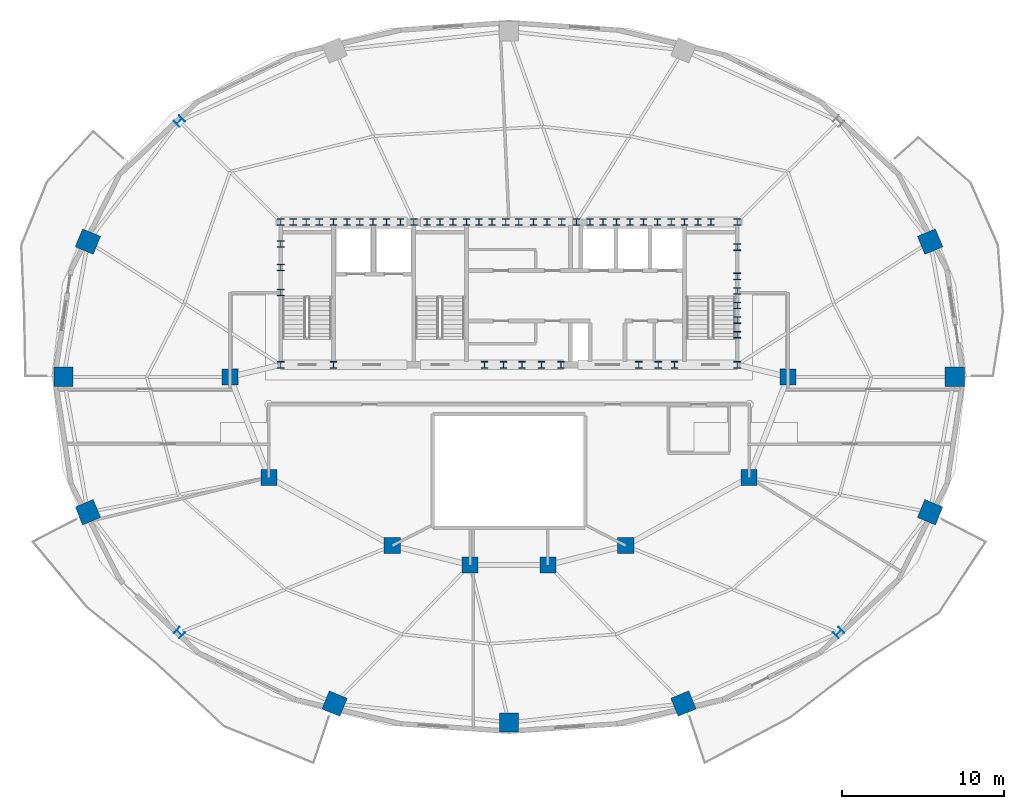
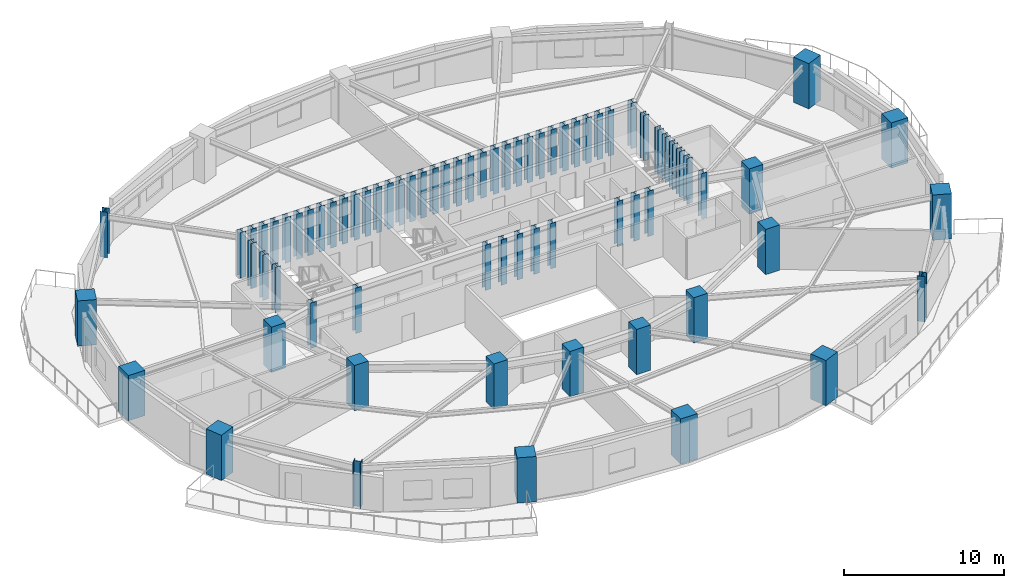
# One storey, part 1 of 11: 74 columns.
"""IFC4 building model written with IfcOpenShell, lengths in metres."""

from ifc_helpers import new_model, si_unit, direction, frame, origin, origin_2d, place, context, subcontext, project, spatial, rectangle, i_section, extrude, material, material_profile, profile_set, type_object, element, save


model = new_model("IFC4")

# Units and contexts
model_context = context("Model", 3, precision=1e-05, world=origin(), true_north=direction((0.0, 1.0)))
body_context = subcontext(model_context, "Body", "Model", "MODEL_VIEW")
ifc_project = project(units=[si_unit("LENGTHUNIT", "METRE"), si_unit("AREAUNIT", "SQUARE_METRE"), si_unit("VOLUMEUNIT", "CUBIC_METRE"), si_unit("PLANEANGLEUNIT", "RADIAN"), si_unit("MASSUNIT", "GRAM", prefix="KILO")], contexts=[model_context])

# Site, building, storey
site_placement = place(None, origin())
site = spatial("IfcSite", under=ifc_project, at=site_placement, CompositionType="ELEMENT")
building_placement = place(site_placement, origin())
building = spatial("IfcBuilding", under=site, at=building_placement, Name="Haldorwick Loom Tower", CompositionType="ELEMENT")
storey_placement = place(building_placement, frame((0.0, 0.0, 218.64990234375)))
storey = spatial("IfcBuildingStorey", under=building, at=storey_placement, Name="L59", CompositionType="ELEMENT", Elevation=218.64990234375)

# Columns
ifc_material_1 = material(Name="Concrete C60 (60 MPa)", Category="concrete")
ifc_material_profile_1 = material_profile(ifc_material_1, rectangle(XDim=1.0, YDim=1.0, at=origin_2d()), Name="RC1000X1000", Category="concrete")
ifc_profile_set_1 = profile_set([ifc_material_profile_1], Name="Concrete C60 (60 MPa)")
column_type_1 = type_object("IfcColumnType", Name="STR-COL-RC1000", PredefinedType="COLUMN", material=ifc_profile_set_1)
for number, where, z_axis, x_axis, name in (
    (1, (53.199951171875, 26.0, 0.0), (0.0, 0.0, 1.0), (1.0, 0.0, 0.0), "L59 Inner Column IC-01"),
    (2, (50.800048828125, 19.800048828125, 0.0), (0.0, 0.0, 1.0), (1.0, 0.0, 0.0), "L59 Inner Column IC-02"),
    (3, (43.199951171875, 15.60009765625, 0.0), (0.0, 0.0, 1.0), (1.0, 0.0, 0.0), "L59 Inner Column IC-03"),
    (4, (38.39990234375, 14.39990234375, 0.0), (0.0, 0.0, 1.0), (1.0, 0.0, 0.0), "L59 Inner Column IC-04"),
    (5, (33.60009765625, 14.39990234375, 0.0), (0.0, 0.0, 1.0), (1.0, 0.0, 0.0), "L59 Inner Column IC-05"),
    (6, (28.800048828125, 15.60009765625, 0.0), (0.0, 0.0, 1.0), (1.0, 0.0, 0.0), "L59 Inner Column IC-06"),
    (7, (21.199951171875, 19.800048828125, 0.0), (0.0, 0.0, 1.0), (1.0, 0.0, 0.0), "L59 Inner Column IC-07"),
    (8, (18.800048828125, 26.0, 0.0), (0.0, 0.0, 1.0), (1.0, 0.0, 0.0), "L59 Inner Column IC-08"),
):
    element("IfcColumn", number, at=place(storey_placement, frame(where, z_axis=z_axis, x_axis=x_axis)), inside=storey, type_object=column_type_1, Name=name, PredefinedType="COLUMN", context=body_context, shape_type="SweptSolid", body=[
        extrude(rectangle(XDim=1.0, YDim=1.0, at=origin_2d()), origin(), (0.0, 0.0, 1.0), 3.4501953125),
    ])
ifc_material_profile_2 = material_profile(ifc_material_1, rectangle(XDim=1.199951171875, YDim=1.199951171875, at=origin_2d()), Name="RC1200X1200", Category="concrete")
ifc_profile_set_2 = profile_set([ifc_material_profile_2], Name="Concrete C60 (60 MPa)")
column_type_2 = type_object("IfcColumnType", Name="STR-COL-RC1200", PredefinedType="COLUMN", material=ifc_profile_set_2)
for number, where, z_axis, x_axis, name in (
    (9, (63.46630859375, 26.0, 0.0), (0.0, 0.0, 1.0), (1.0, 0.0, 0.0), "L59 Perimeter Pier Column P01"),
    (10, (61.9609375, 34.342529296875, 0.0), (0.0, 0.0, 1.0), (0.923879532511, 0.382683432365, 0.0), "L59 Perimeter Pier Column P02"),
    (11, (10.0390625, 34.342529296875, 0.0), (0.0, 0.0, 1.0), (-0.923879532511, 0.382683432365, 0.0), "L59 Perimeter Pier Column P08"),
    (12, (8.53369140625, 26.0, 0.0), (0.0, 0.0, 1.0), (-1.0, 0.0, 0.0), "L59 Perimeter Pier Column P09"),
    (13, (10.0390625, 17.657470703125, 0.0), (0.0, 0.0, 1.0), (-0.923879532511, -0.382683432365, 0.0), "L59 Perimeter Pier Column P10"),
    (14, (25.24658203125, 5.859375, 0.0), (0.0, 0.0, 1.0), (-0.382683432365, -0.923879532511, 0.0), "L59 Perimeter Pier Column P12"),
    (15, (36.0, 4.695068359375, 0.0), (0.0, 0.0, 1.0), (0.0, -1.0, 0.0), "L59 Perimeter Pier Column P13"),
    (16, (46.75341796875, 5.859375, 0.0), (0.0, 0.0, 1.0), (0.382683432365, -0.923879532511, 0.0), "L59 Perimeter Pier Column P14"),
    (17, (61.9609375, 17.657470703125, 0.0), (0.0, 0.0, 1.0), (0.923879532511, -0.382683432365, 0.0), "L59 Perimeter Pier Column P16"),
):
    element("IfcColumn", number, at=place(storey_placement, frame(where, z_axis=z_axis, x_axis=x_axis)), inside=storey, type_object=column_type_2, Name=name, PredefinedType="COLUMN", context=body_context, shape_type="SweptSolid", body=[
        extrude(rectangle(XDim=1.199951171875, YDim=1.199951171875, at=origin_2d()), origin(), (0.0, 0.0, 1.0), 3.4501953125),
    ])
ifc_material_2 = material(Name="Steel CSA G40.21 350W", Category="steel")
ifc_material_profile_3 = material_profile(ifc_material_2, i_section(OverallWidth=0.406005859375, OverallDepth=0.416015625, WebThickness=0.024169921875, FlangeThickness=0.03857421875, at=origin_2d()), Name="W360X382", Category="steel")
ifc_profile_set_3 = profile_set([ifc_material_profile_3], Name="Steel CSA G40.21 350W")
column_type_3 = type_object("IfcColumnType", Name="STR-COL-W360X382", PredefinedType="COLUMN", material=ifc_profile_set_3)
for number, where, z_axis, x_axis, name in (
    (18, (21.929931640625, 35.550048828125, 0.0), (0.0, 0.0, 1.0), (1.0, 0.0, 0.0), "L59 Core Pilaster CB-01"),
    (19, (23.5, 35.550048828125, 0.0), (0.0, 0.0, 1.0), (1.0, 0.0, 0.0), "L59 Core Pilaster CB-02"),
    (20, (25.169921875, 35.550048828125, 0.0), (0.0, 0.0, 1.0), (1.0, 0.0, 0.0), "L59 Core Pilaster CB-03"),
    (21, (26.800048828125, 35.550048828125, 0.0), (0.0, 0.0, 1.0), (1.0, 0.0, 0.0), "L59 Core Pilaster CB-04"),
    (22, (28.449951171875, 35.550048828125, 0.0), (0.0, 0.0, 1.0), (1.0, 0.0, 0.0), "L59 Core Pilaster CB-05"),
    (23, (30.1298828125, 35.550048828125, 0.0), (0.0, 0.0, 1.0), (1.0, 0.0, 0.0), "L59 Core Pilaster CB-06"),
    (24, (31.75, 35.550048828125, 0.0), (0.0, 0.0, 1.0), (1.0, 0.0, 0.0), "L59 Core Pilaster CB-07"),
    (25, (33.3701171875, 35.550048828125, 0.0), (0.0, 0.0, 1.0), (1.0, 0.0, 0.0), "L59 Core Pilaster CB-08"),
    (26, (34.949951171875, 35.550048828125, 0.0), (0.0, 0.0, 1.0), (1.0, 0.0, 0.0), "L59 Core Pilaster CB-09"),
    (27, (36.60009765625, 35.550048828125, 0.0), (0.0, 0.0, 1.0), (1.0, 0.0, 0.0), "L59 Core Pilaster CB-10"),
    (28, (38.35009765625, 35.550048828125, 0.0), (0.0, 0.0, 1.0), (1.0, 0.0, 0.0), "L59 Core Pilaster CB-11"),
    (29, (40.14990234375, 35.550048828125, 0.0), (0.0, 0.0, 1.0), (1.0, 0.0, 0.0), "L59 Core Pilaster CB-12"),
    (30, (41.800048828125, 35.550048828125, 0.0), (0.0, 0.0, 1.0), (1.0, 0.0, 0.0), "L59 Core Pilaster CB-13"),
    (31, (43.449951171875, 35.550048828125, 0.0), (0.0, 0.0, 1.0), (1.0, 0.0, 0.0), "L59 Core Pilaster CB-14"),
    (32, (45.14990234375, 35.550048828125, 0.0), (0.0, 0.0, 1.0), (1.0, 0.0, 0.0), "L59 Core Pilaster CB-15"),
    (33, (46.830078125, 35.550048828125, 0.0), (0.0, 0.0, 1.0), (1.0, 0.0, 0.0), "L59 Core Pilaster CB-16"),
    (34, (48.449951171875, 35.550048828125, 0.0), (0.0, 0.0, 1.0), (1.0, 0.0, 0.0), "L59 Core Pilaster CB-17"),
    (35, (50.070068359375, 35.550048828125, 0.0), (0.0, 0.0, 1.0), (1.0, 0.0, 0.0), "L59 Core Pilaster CB-18"),
    (36, (21.929931640625, 26.75, 0.0), (0.0, 0.0, 1.0), (1.0, 0.0, 0.0), "L59 Core Pilaster CB-19"),
    (37, (25.169921875, 26.75, 0.0), (0.0, 0.0, 1.0), (1.0, 0.0, 0.0), "L59 Core Pilaster CB-20"),
    (38, (34.5, 26.75, 0.0), (0.0, 0.0, 1.0), (1.0, 0.0, 0.0), "L59 Core Pilaster CB-21"),
    (39, (36.800048828125, 26.75, 0.0), (0.0, 0.0, 1.0), (1.0, 0.0, 0.0), "L59 Core Pilaster CB-22"),
    (40, (39.199951171875, 26.75, 0.0), (0.0, 0.0, 1.0), (1.0, 0.0, 0.0), "L59 Core Pilaster CB-23"),
    (41, (45.199951171875, 26.75, 0.0), (0.0, 0.0, 1.0), (1.0, 0.0, 0.0), "L59 Core Pilaster CB-24"),
    (42, (50.070068359375, 26.75, 0.0), (0.0, 0.0, 1.0), (1.0, 0.0, 0.0), "L59 Core Pilaster CB-25"),
    (43, (21.929931640625, 31.199951171875, 0.0), (0.0, 0.0, 1.0), (1.0, 0.0, 0.0), "L59 Core Pilaster CB-26"),
    (44, (21.929931640625, 32.75, 0.0), (0.0, 0.0, 1.0), (1.0, 0.0, 0.0), "L59 Core Pilaster CB-27"),
    (45, (21.929931640625, 34.199951171875, 0.0), (0.0, 0.0, 1.0), (1.0, 0.0, 0.0), "L59 Core Pilaster CB-28"),
    (46, (50.070068359375, 28.60009765625, 0.0), (0.0, 0.0, 1.0), (1.0, 0.0, 0.0), "L59 Core Pilaster CB-29"),
    (47, (50.070068359375, 30.39990234375, 0.0), (0.0, 0.0, 1.0), (1.0, 0.0, 0.0), "L59 Core Pilaster CB-30"),
    (48, (50.070068359375, 32.199951171875, 0.0), (0.0, 0.0, 1.0), (1.0, 0.0, 0.0), "L59 Core Pilaster CB-31"),
    (49, (50.070068359375, 34.0, 0.0), (0.0, 0.0, 1.0), (1.0, 0.0, 0.0), "L59 Core Pilaster CB-32"),
    (50, (22.699951171875, 35.550048828125, 0.0), (0.0, 0.0, 1.0), (1.0, 0.0, 0.0), "L59 Core Pilaster CB-33"),
    (51, (27.6201171875, 35.550048828125, 0.0), (0.0, 0.0, 1.0), (1.0, 0.0, 0.0), "L59 Core Pilaster CB-34"),
    (52, (32.550048828125, 35.550048828125, 0.0), (0.0, 0.0, 1.0), (1.0, 0.0, 0.0), "L59 Core Pilaster CB-35"),
    (53, (37.5, 35.550048828125, 0.0), (0.0, 0.0, 1.0), (1.0, 0.0, 0.0), "L59 Core Pilaster CB-36"),
    (54, (42.6201171875, 35.550048828125, 0.0), (0.0, 0.0, 1.0), (1.0, 0.0, 0.0), "L59 Core Pilaster CB-37"),
    (55, (47.64990234375, 35.550048828125, 0.0), (0.0, 0.0, 1.0), (1.0, 0.0, 0.0), "L59 Core Pilaster CB-38"),
    (56, (24.300048828125, 35.550048828125, 0.0), (0.0, 0.0, 1.0), (1.0, 0.0, 0.0), "L59 Core Pilaster CB-39"),
    (57, (26.0, 35.550048828125, 0.0), (0.0, 0.0, 1.0), (1.0, 0.0, 0.0), "L59 Core Pilaster CB-40"),
    (58, (29.300048828125, 35.550048828125, 0.0), (0.0, 0.0, 1.0), (1.0, 0.0, 0.0), "L59 Core Pilaster CB-41"),
    (59, (30.949951171875, 35.550048828125, 0.0), (0.0, 0.0, 1.0), (1.0, 0.0, 0.0), "L59 Core Pilaster CB-42"),
    (60, (34.14990234375, 35.550048828125, 0.0), (0.0, 0.0, 1.0), (1.0, 0.0, 0.0), "L59 Core Pilaster CB-43"),
    (61, (35.800048828125, 35.550048828125, 0.0), (0.0, 0.0, 1.0), (1.0, 0.0, 0.0), "L59 Core Pilaster CB-44"),
    (62, (39.25, 35.550048828125, 0.0), (0.0, 0.0, 1.0), (1.0, 0.0, 0.0), "L59 Core Pilaster CB-45"),
    (63, (41.0, 35.550048828125, 0.0), (0.0, 0.0, 1.0), (1.0, 0.0, 0.0), "L59 Core Pilaster CB-46"),
    (64, (44.300048828125, 35.550048828125, 0.0), (0.0, 0.0, 1.0), (1.0, 0.0, 0.0), "L59 Core Pilaster CB-47"),
    (65, (46.0, 35.550048828125, 0.0), (0.0, 0.0, 1.0), (1.0, 0.0, 0.0), "L59 Core Pilaster CB-48"),
    (66, (50.070068359375, 29.5, 0.0), (0.0, 0.0, 1.0), (1.0, 0.0, 0.0), "L59 Core Pilaster CB-49"),
    (67, (50.070068359375, 31.300048828125, 0.0), (0.0, 0.0, 1.0), (1.0, 0.0, 0.0), "L59 Core Pilaster CB-50"),
    (68, (35.64990234375, 26.75, 0.0), (0.0, 0.0, 1.0), (1.0, 0.0, 0.0), "L59 Core Pilaster CB-51"),
    (69, (38.0, 26.75, 0.0), (0.0, 0.0, 1.0), (1.0, 0.0, 0.0), "L59 Core Pilaster CB-52"),
    (70, (44.0, 26.75, 0.0), (0.0, 0.0, 1.0), (1.0, 0.0, 0.0), "L59 Core Pilaster CB-53"),
    (71, (46.199951171875, 26.75, 0.0), (0.0, 0.0, 1.0), (1.0, 0.0, 0.0), "L59 Core Pilaster CB-54"),
):
    element("IfcColumn", number, at=place(storey_placement, frame(where, z_axis=z_axis, x_axis=x_axis)), inside=storey, type_object=column_type_3, Name=name, PredefinedType="COLUMN", context=body_context, shape_type="SweptSolid", body=[
        extrude(i_section(OverallWidth=0.406005859375, OverallDepth=0.416015625, WebThickness=0.024169921875, FlangeThickness=0.03857421875, at=origin_2d()), origin(), (0.0, 0.0, 1.0), 3.4501953125),
    ])
ifc_material_3 = material(Name="Steel CSA G40.21 350WT", Category="steel")
ifc_material_profile_4 = material_profile(ifc_material_3, i_section(OverallWidth=0.5, OverallDepth=0.5, WebThickness=0.02197265625, FlangeThickness=0.031982421875, at=origin_2d()), Name="WWF500X500", Category="steel")
ifc_profile_set_4 = profile_set([ifc_material_profile_4], Name="Steel CSA G40.21 350WT")
column_type_4 = type_object("IfcColumnType", Name="STR-COL-WWF500", PredefinedType="COLUMN", material=ifc_profile_set_4)
for number, where, z_axis, x_axis, name in (
    (72, (15.682373046875, 41.764892578125, 0.0), (0.0, 0.0, 1.0), (-0.707106781187, 0.707106781187, 0.0), "L59 Perimeter Pier Column P07"),
    (73, (15.682373046875, 10.235107421875, 0.0), (0.0, 0.0, 1.0), (-0.707106781187, -0.707106781187, 0.0), "L59 Perimeter Pier Column P11"),
    (74, (56.317626953125, 10.235107421875, 0.0), (0.0, 0.0, 1.0), (0.707106781187, -0.707106781187, 0.0), "L59 Perimeter Pier Column P15"),
):
    element("IfcColumn", number, at=place(storey_placement, frame(where, z_axis=z_axis, x_axis=x_axis)), inside=storey, type_object=column_type_4, Name=name, PredefinedType="COLUMN", context=body_context, shape_type="SweptSolid", body=[
        extrude(i_section(OverallWidth=0.5, OverallDepth=0.5, WebThickness=0.02197265625, FlangeThickness=0.031982421875, at=origin_2d()), origin(), (0.0, 0.0, 1.0), 3.4501953125),
    ])

save(model, "model.ifc")
